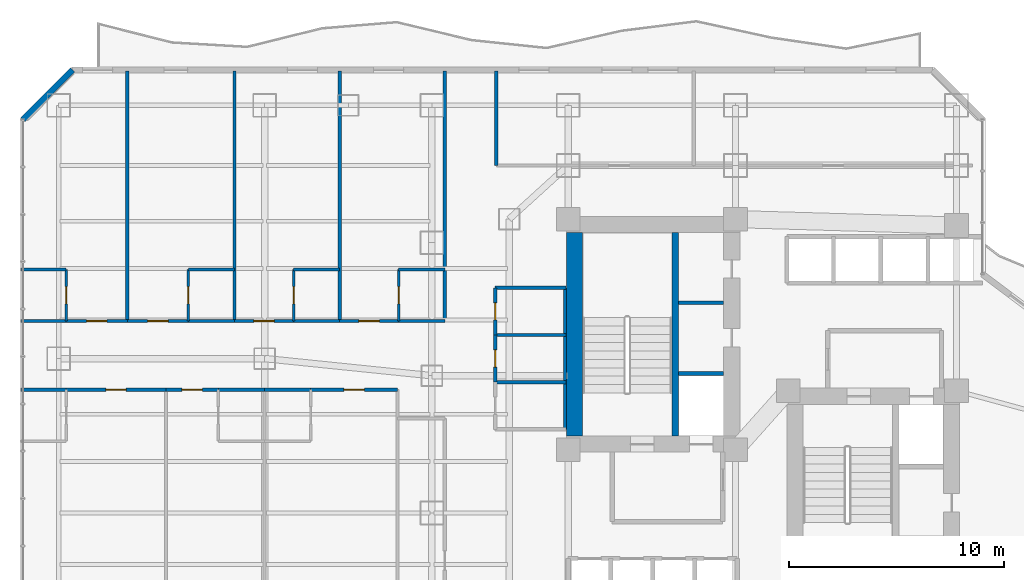
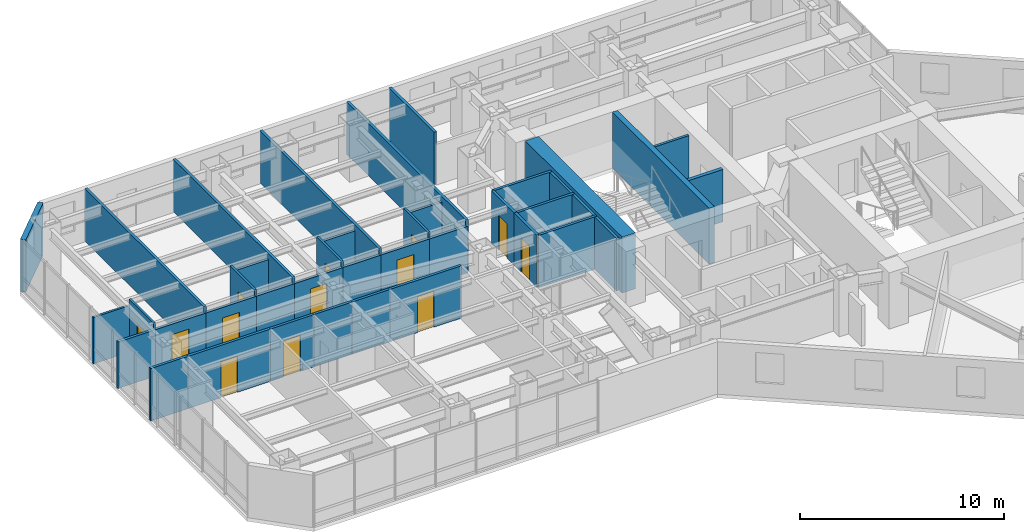
# One storey, part 25 of 32: 38 walls, 13 doors, 13 openings.
"""IFC4 building model written with IfcOpenShell, lengths in metres."""

from ifc_helpers import new_model, si_unit, direction, frame, frame_2d, origin, place, context, subcontext, project, spatial, rectangle, extrude, material, layer, layer_set, type_object, element, fill, save


model = new_model("IFC4")

# Units and contexts
model_context = context("Model", 3, precision=1e-05, world=origin(), true_north=direction((0.0, 1.0)))
body_context = subcontext(model_context, "Body", "Model", "MODEL_VIEW")
ifc_project = project(units=[si_unit("LENGTHUNIT", "METRE"), si_unit("AREAUNIT", "SQUARE_METRE"), si_unit("VOLUMEUNIT", "CUBIC_METRE"), si_unit("PLANEANGLEUNIT", "RADIAN"), si_unit("MASSUNIT", "GRAM", prefix="KILO")], contexts=[model_context])

# Site, building, storey
site_placement = place(None, origin())
site = spatial("IfcSite", under=ifc_project, at=site_placement, CompositionType="ELEMENT")
building_placement = place(site_placement, origin())
building = spatial("IfcBuilding", under=site, at=building_placement, Name="Hatsunagi Terrace Concourse", CompositionType="ELEMENT")
storey_placement = place(building_placement, frame((0.0, 0.0, 46.64990234375)))
storey = spatial("IfcBuildingStorey", under=building, at=storey_placement, Name="L11", CompositionType="ELEMENT", Elevation=46.64990234375)

# Walls
ifc_material_1 = material(Name="Concrete Fc60", Category="concrete")
ifc_layer_1 = layer(ifc_material_1, 0.75)
ifc_layer_set_1 = layer_set([ifc_layer_1], Name="CoreShearWall_Fc60_750")
wall_type_1 = type_object("IfcWallType", Name="CoreShearWall_Fc60_750", PredefinedType="SHEAR", material=ifc_layer_set_1)
wall_1_placement = place(storey_placement, frame((25.844970703125, 33.18994140625, 0.0), z_axis=(0.0, 0.0, 1.0), x_axis=(0.0, 1.0, 0.0)))
element("IfcWall", 1, at=wall_1_placement, inside=storey, type_object=wall_type_1, Name="Core A Shear Wall W L11", PredefinedType="SHEAR", context=body_context, shape_type="SweptSolid", body=[
    extrude(rectangle(XDim=9.47998046875, YDim=0.75, at=frame_2d((4.739990234375, 0.0))), origin(), (0.0, 0.0, 1.0), 3.35009765625),
])
ifc_material_2 = material(Name="Concrete Fc48", Category="concrete")
ifc_layer_2 = layer(ifc_material_2, 0.300048828125)
ifc_layer_set_2 = layer_set([ifc_layer_2], Name="CoreStairDivider_Fc48_300")
wall_type_2 = type_object("IfcWallType", Name="CoreStairDivider_Fc48_300", PredefinedType="SHEAR", material=ifc_layer_set_2)
wall_2_placement = place(storey_placement, frame((30.5400390625, 33.18994140625, 0.0), z_axis=(0.0, 0.0, 1.0), x_axis=(0.0, 1.0, 0.0)))
element("IfcWall", 2, at=wall_2_placement, inside=storey, type_object=wall_type_2, Name="Core A Shear Wall D L11", PredefinedType="SHEAR", context=body_context, shape_type="SweptSolid", body=[
    extrude(rectangle(XDim=9.47998046875, YDim=0.300048828125, at=frame_2d((4.739990234375, 0.0))), origin(), (0.0, 0.0, 1.0), 3.35009765625),
])

# Wall, opening, door
ifc_material_3 = material(Name="Acoustic mineral board", Category="gypsum")
ifc_layer_3 = layer(ifc_material_3, 0.1201171875)
ifc_layer_set_3 = layer_set([ifc_layer_3], Name="PartitionWall_EI30_120")
wall_type_3 = type_object("IfcWallType", Name="PartitionWall_EI30_120", PredefinedType="PARTITIONING", material=ifc_layer_set_3)
wall_3_placement = place(storey_placement, frame((2.14990234375, 38.550048828125, 0.0), z_axis=(0.0, 0.0, 1.0), x_axis=(0.0, 1.0, 0.0)))
wall_3 = element("IfcWall", 3, at=wall_3_placement, inside=storey, type_object=wall_type_3, Name="Interior Partition IW-L11-046", PredefinedType="PARTITIONING", context=body_context, shape_type="SweptSolid", body=[
    extrude(rectangle(XDim=2.39990234375, YDim=0.1201171875, at=frame_2d((1.199951171875, 0.0))), origin(), (0.0, 0.0, 1.0), 3.130126953125),
])
opening_1_placement = place(wall_3_placement, frame((0.800048828125, 0.0, 0.0)))
opening_1 = element("IfcOpeningElement", 4, at=opening_1_placement, cuts=wall_3, Name="Opening DR-080", PredefinedType="OPENING", context=body_context, shape_type="SweptSolid", body=[
    extrude(rectangle(XDim=0.800048828125, YDim=2.06005859375, at=frame_2d((0.39990234375, 1.030029296875))), frame((0.0, 0.070068359375, 0.0), z_axis=(0.0, -1.0, 0.0), x_axis=(1.0, 0.0, 0.0)), (0.0, 0.0, 1.0), 0.14013671875),
])
ifc_material_4 = material(Name="Hardwood timber", Category="wood")
door_type_1 = type_object("IfcDoorType", Name="BathroomDoor_800", OperationType="NOTDEFINED", PredefinedType="DOOR", material=ifc_material_4)
door_1_placement = place(opening_1_placement, origin())
door_1 = element("IfcDoor", 5, at=door_1_placement, inside=storey, type_object=door_type_1, Name="En-Suite Bathroom L11-N1 Door", OperationType="SINGLE_SWING_RIGHT", OverallHeight=2.06005859375, OverallWidth=0.800048828125, PredefinedType="DOOR", context=body_context, shape_type="SweptSolid", body=[
    extrude(rectangle(XDim=0.800048828125, YDim=2.06005859375, at=frame_2d((0.39990234375, 1.030029296875))), frame((0.0, 0.02490234375, 0.0), z_axis=(0.0, -1.0, 0.0), x_axis=(1.0, 0.0, 0.0)), (0.0, 0.0, 1.0), 0.050048828125),
])
fill(opening_1, door_1)

# Wall
wall_4_placement = place(storey_placement, frame((0.0400390625, 40.949951171875, 0.0), z_axis=(0.0, 0.0, 1.0), x_axis=(1.0, 0.0, 0.0)))
element("IfcWall", 6, at=wall_4_placement, inside=storey, type_object=wall_type_3, Name="Interior Partition IW-L11-047", PredefinedType="PARTITIONING", context=body_context, shape_type="SweptSolid", body=[
    extrude(rectangle(XDim=2.10986328125, YDim=0.1201171875, at=frame_2d((1.054931640625, 0.0))), origin(), (0.0, 0.0, 1.0), 2.775146484375),
])

# Wall, opening, door
wall_5_placement = place(storey_placement, frame((7.85009765625, 38.550048828125, 0.0), z_axis=(0.0, 0.0, 1.0), x_axis=(0.0, 1.0, 0.0)))
wall_5 = element("IfcWall", 7, at=wall_5_placement, inside=storey, type_object=wall_type_3, Name="Interior Partition IW-L11-051", PredefinedType="PARTITIONING", context=body_context, shape_type="SweptSolid", body=[
    extrude(rectangle(XDim=2.39990234375, YDim=0.1201171875, at=frame_2d((1.199951171875, 0.0))), origin(), (0.0, 0.0, 1.0), 3.130126953125),
])
opening_2_placement = place(wall_5_placement, frame((0.800048828125, 0.0, 0.0)))
opening_2 = element("IfcOpeningElement", 8, at=opening_2_placement, cuts=wall_5, Name="Opening DR-080", PredefinedType="OPENING", context=body_context, shape_type="SweptSolid", body=[
    extrude(rectangle(XDim=0.800048828125, YDim=2.06005859375, at=frame_2d((0.39990234375, 1.030029296875))), frame((0.0, 0.070068359375, 0.0), z_axis=(0.0, -1.0, 0.0), x_axis=(1.0, 0.0, 0.0)), (0.0, 0.0, 1.0), 0.14013671875),
])
door_2_placement = place(opening_2_placement, origin())
door_2 = element("IfcDoor", 9, at=door_2_placement, inside=storey, type_object=door_type_1, Name="En-Suite Bathroom L11-N2 Door", OperationType="SINGLE_SWING_LEFT", OverallHeight=2.06005859375, OverallWidth=0.800048828125, PredefinedType="DOOR", context=body_context, shape_type="SweptSolid", body=[
    extrude(rectangle(XDim=0.800048828125, YDim=2.06005859375, at=frame_2d((0.39990234375, 1.030029296875))), frame((0.0, 0.02490234375, 0.0), z_axis=(0.0, -1.0, 0.0), x_axis=(1.0, 0.0, 0.0)), (0.0, 0.0, 1.0), 0.050048828125),
])
fill(opening_2, door_2)

# Wall
wall_6_placement = place(storey_placement, frame((7.85009765625, 40.949951171875, 0.0), z_axis=(0.0, 0.0, 1.0), x_axis=(1.0, 0.0, 0.0)))
element("IfcWall", 10, at=wall_6_placement, inside=storey, type_object=wall_type_3, Name="Interior Partition IW-L11-052", PredefinedType="PARTITIONING", context=body_context, shape_type="SweptSolid", body=[
    extrude(rectangle(XDim=2.14990234375, YDim=0.1201171875, at=frame_2d((1.074951171875, 0.0))), origin(), (0.0, 0.0, 1.0), 2.775146484375),
])

# Wall, opening, door
wall_7_placement = place(storey_placement, frame((12.75, 38.550048828125, 0.0), z_axis=(0.0, 0.0, 1.0), x_axis=(0.0, 1.0, 0.0)))
wall_7 = element("IfcWall", 11, at=wall_7_placement, inside=storey, type_object=wall_type_3, Name="Interior Partition IW-L11-056", PredefinedType="PARTITIONING", context=body_context, shape_type="SweptSolid", body=[
    extrude(rectangle(XDim=2.39990234375, YDim=0.1201171875, at=frame_2d((1.199951171875, 0.0))), origin(), (0.0, 0.0, 1.0), 3.130126953125),
])
opening_3_placement = place(wall_7_placement, frame((0.800048828125, 0.0, 0.0)))
opening_3 = element("IfcOpeningElement", 12, at=opening_3_placement, cuts=wall_7, Name="Opening DR-080", PredefinedType="OPENING", context=body_context, shape_type="SweptSolid", body=[
    extrude(rectangle(XDim=0.800048828125, YDim=2.06005859375, at=frame_2d((0.39990234375, 1.030029296875))), frame((0.0, 0.070068359375, 0.0), z_axis=(0.0, -1.0, 0.0), x_axis=(1.0, 0.0, 0.0)), (0.0, 0.0, 1.0), 0.14013671875),
])
door_3_placement = place(opening_3_placement, origin())
door_3 = element("IfcDoor", 13, at=door_3_placement, inside=storey, type_object=door_type_1, Name="En-Suite Bathroom L11-N3 Door", OperationType="SINGLE_SWING_RIGHT", OverallHeight=2.06005859375, OverallWidth=0.800048828125, PredefinedType="DOOR", context=body_context, shape_type="SweptSolid", body=[
    extrude(rectangle(XDim=0.800048828125, YDim=2.06005859375, at=frame_2d((0.39990234375, 1.030029296875))), frame((0.0, 0.02490234375, 0.0), z_axis=(0.0, -1.0, 0.0), x_axis=(1.0, 0.0, 0.0)), (0.0, 0.0, 1.0), 0.050048828125),
])
fill(opening_3, door_3)

# Wall
wall_8_placement = place(storey_placement, frame((12.75, 40.949951171875, 0.0), z_axis=(0.0, 0.0, 1.0), x_axis=(1.0, 0.0, 0.0)))
element("IfcWall", 14, at=wall_8_placement, inside=storey, type_object=wall_type_3, Name="Interior Partition IW-L11-057", PredefinedType="PARTITIONING", context=body_context, shape_type="SweptSolid", body=[
    extrude(rectangle(XDim=2.14990234375, YDim=0.1201171875, at=frame_2d((1.074951171875, 0.0))), origin(), (0.0, 0.0, 1.0), 2.775146484375),
])

# Wall, opening, door
wall_9_placement = place(storey_placement, frame((17.64990234375, 38.550048828125, 0.0), z_axis=(0.0, 0.0, 1.0), x_axis=(0.0, 1.0, 0.0)))
wall_9 = element("IfcWall", 15, at=wall_9_placement, inside=storey, type_object=wall_type_3, Name="Interior Partition IW-L11-061", PredefinedType="PARTITIONING", context=body_context, shape_type="SweptSolid", body=[
    extrude(rectangle(XDim=2.39990234375, YDim=0.1201171875, at=frame_2d((1.199951171875, 0.0))), origin(), (0.0, 0.0, 1.0), 3.130126953125),
])
opening_4_placement = place(wall_9_placement, frame((0.800048828125, 0.0, 0.0)))
opening_4 = element("IfcOpeningElement", 16, at=opening_4_placement, cuts=wall_9, Name="Opening DR-080", PredefinedType="OPENING", context=body_context, shape_type="SweptSolid", body=[
    extrude(rectangle(XDim=0.800048828125, YDim=2.06005859375, at=frame_2d((0.39990234375, 1.030029296875))), frame((0.0, 0.070068359375, 0.0), z_axis=(0.0, -1.0, 0.0), x_axis=(1.0, 0.0, 0.0)), (0.0, 0.0, 1.0), 0.14013671875),
])
door_4_placement = place(opening_4_placement, origin())
door_4 = element("IfcDoor", 17, at=door_4_placement, inside=storey, type_object=door_type_1, Name="En-Suite Bathroom L11-N4 Door", OperationType="SINGLE_SWING_LEFT", OverallHeight=2.06005859375, OverallWidth=0.800048828125, PredefinedType="DOOR", context=body_context, shape_type="SweptSolid", body=[
    extrude(rectangle(XDim=0.800048828125, YDim=2.06005859375, at=frame_2d((0.39990234375, 1.030029296875))), frame((0.0, 0.02490234375, 0.0), z_axis=(0.0, -1.0, 0.0), x_axis=(1.0, 0.0, 0.0)), (0.0, 0.0, 1.0), 0.050048828125),
])
fill(opening_4, door_4)

# Walls
wall_10_placement = place(storey_placement, frame((17.64990234375, 40.949951171875, 0.0), z_axis=(0.0, 0.0, 1.0), x_axis=(1.0, 0.0, 0.0)))
element("IfcWall", 18, at=wall_10_placement, inside=storey, type_object=wall_type_3, Name="Interior Partition IW-L11-062", PredefinedType="PARTITIONING", context=body_context, shape_type="SweptSolid", body=[
    extrude(rectangle(XDim=2.150146484375, YDim=0.1201171875, at=frame_2d((1.0751953125, 0.0))), origin(), (0.0, 0.0, 1.0), 2.775146484375),
])
ifc_material_5 = material(Name="Acoustic mineral board", Category="gypsum")
ifc_layer_4 = layer(ifc_material_5, 0.14990234375)
ifc_layer_set_4 = layer_set([ifc_layer_4], Name="PartitionWall_EI60_150")
wall_type_4 = type_object("IfcWallType", Name="PartitionWall_EI60_150", PredefinedType="PARTITIONING", material=ifc_layer_set_4)
wall_11_placement = place(storey_placement, frame((30.699951171875, 39.39990234375, 0.0), z_axis=(0.0, 0.0, 1.0), x_axis=(1.0, 0.0, 0.0)))
element("IfcWall", 19, at=wall_11_placement, inside=storey, type_object=wall_type_4, Name="Interior Partition IW-L11-002", PredefinedType="PARTITIONING", context=body_context, shape_type="SweptSolid", body=[
    extrude(rectangle(XDim=2.10009765625, YDim=0.14990234375, at=frame_2d((1.050048828125, 0.0))), origin(), (0.0, 0.0, 1.0), 3.130126953125),
])
wall_12_placement = place(storey_placement, frame((22.14990234375, 40.10009765625, 0.0), z_axis=(0.0, 0.0, 1.0), x_axis=(1.0, 0.0, 0.0)))
element("IfcWall", 20, at=wall_12_placement, inside=storey, type_object=wall_type_4, Name="Interior Partition IW-L11-030", PredefinedType="PARTITIONING", context=body_context, shape_type="SweptSolid", body=[
    extrude(rectangle(XDim=3.300048828125, YDim=0.14990234375, at=frame_2d((1.64990234375, 0.0))), origin(), (0.0, 0.0, 1.0), 3.130126953125),
])
wall_13_placement = place(storey_placement, frame((25.39990234375, 33.5, 0.0), z_axis=(0.0, 0.0, 1.0), x_axis=(0.0, 1.0, 0.0)))
element("IfcWall", 21, at=wall_13_placement, inside=storey, type_object=wall_type_4, Name="Interior Partition IW-L11-031", PredefinedType="PARTITIONING", context=body_context, shape_type="SweptSolid", body=[
    extrude(rectangle(XDim=6.60009765625, YDim=0.14990234375, at=frame_2d((3.300048828125, 0.0))), origin(), (0.0, 0.0, 1.0), 3.130126953125),
])
for number, where, z_axis, x_axis, name in (
    (22, (22.14990234375, 35.699951171875, 0.0), (0.0, 0.0, 1.0), (1.0, 0.0, 0.0), "Interior Partition IW-L11-032"),
    (23, (22.14990234375, 37.89990234375, 0.0), (0.0, 0.0, 1.0), (1.0, 0.0, 0.0), "Interior Partition IW-L11-033"),
):
    element("IfcWall", number, at=place(storey_placement, frame(where, z_axis=z_axis, x_axis=x_axis)), inside=storey, type_object=wall_type_4, Name=name, PredefinedType="PARTITIONING", context=body_context, shape_type="SweptSolid", body=[
        extrude(rectangle(XDim=3.300048828125, YDim=0.14990234375, at=frame_2d((1.64990234375, 0.0))), origin(), (0.0, 0.0, 1.0), 3.130126953125),
    ])

# Wall, opening, door
wall_14_placement = place(storey_placement, frame((22.14990234375, 35.699951171875, 0.0), z_axis=(0.0, 0.0, 1.0), x_axis=(0.0, 1.0, 0.0)))
wall_14 = element("IfcWall", 24, at=wall_14_placement, inside=storey, type_object=wall_type_4, Name="Interior Partition IW-L11-035", PredefinedType="PARTITIONING", context=body_context, shape_type="SweptSolid", body=[
    extrude(rectangle(XDim=2.199951171875, YDim=0.14990234375, at=frame_2d((1.10009765625, 0.0))), origin(), (0.0, 0.0, 1.0), 3.130126953125),
])
opening_5_placement = place(wall_14_placement, frame((0.699951171875, 0.0, 0.0)))
opening_5 = element("IfcOpeningElement", 25, at=opening_5_placement, cuts=wall_14, Name="Opening DR-080", PredefinedType="OPENING", context=body_context, shape_type="SweptSolid", body=[
    extrude(rectangle(XDim=0.800048828125, YDim=2.06005859375, at=frame_2d((0.39990234375, 1.030029296875))), frame((0.0, 0.0849609375, 0.0), z_axis=(0.0, -1.0, 0.0), x_axis=(1.0, 0.0, 0.0)), (0.0, 0.0, 1.0), 0.169921875),
])
door_5_placement = place(opening_5_placement, origin())
door_5 = element("IfcDoor", 26, at=door_5_placement, inside=storey, type_object=door_type_1, Name="Female Restroom Door L11", OperationType="SINGLE_SWING_RIGHT", OverallHeight=2.06005859375, OverallWidth=0.800048828125, PredefinedType="DOOR", context=body_context, shape_type="SweptSolid", body=[
    extrude(rectangle(XDim=0.800048828125, YDim=2.06005859375, at=frame_2d((0.39990234375, 1.030029296875))), frame((0.0, 0.02490234375, 0.0), z_axis=(0.0, -1.0, 0.0), x_axis=(1.0, 0.0, 0.0)), (0.0, 0.0, 1.0), 0.050048828125),
])
fill(opening_5, door_5)

wall_15_placement = place(storey_placement, frame((22.14990234375, 37.89990234375, 0.0), z_axis=(0.0, 0.0, 1.0), x_axis=(0.0, 1.0, 0.0)))
wall_15 = element("IfcWall", 27, at=wall_15_placement, inside=storey, type_object=wall_type_4, Name="Interior Partition IW-L11-036", PredefinedType="PARTITIONING", context=body_context, shape_type="SweptSolid", body=[
    extrude(rectangle(XDim=2.2001953125, YDim=0.14990234375, at=frame_2d((1.10009765625, 0.0))), origin(), (0.0, 0.0, 1.0), 3.130126953125),
])
opening_6_placement = place(wall_15_placement, frame((0.699951171875, 0.0, 0.0)))
opening_6 = element("IfcOpeningElement", 28, at=opening_6_placement, cuts=wall_15, Name="Opening DR-080", PredefinedType="OPENING", context=body_context, shape_type="SweptSolid", body=[
    extrude(rectangle(XDim=0.800048828125, YDim=2.06005859375, at=frame_2d((0.39990234375, 1.030029296875))), frame((0.0, 0.0849609375, 0.0), z_axis=(0.0, -1.0, 0.0), x_axis=(1.0, 0.0, 0.0)), (0.0, 0.0, 1.0), 0.169921875),
])
door_6_placement = place(opening_6_placement, origin())
door_6 = element("IfcDoor", 29, at=door_6_placement, inside=storey, type_object=door_type_1, Name="Male Restroom Door L11", OperationType="SINGLE_SWING_RIGHT", OverallHeight=2.06005859375, OverallWidth=0.800048828125, PredefinedType="DOOR", context=body_context, shape_type="SweptSolid", body=[
    extrude(rectangle(XDim=0.800048828125, YDim=2.06005859375, at=frame_2d((0.39990234375, 1.030029296875))), frame((0.0, 0.02490234375, 0.0), z_axis=(0.0, -1.0, 0.0), x_axis=(1.0, 0.0, 0.0)), (0.0, 0.0, 1.0), 0.050048828125),
])
fill(opening_6, door_6)

# Walls
wall_16_placement = place(storey_placement, frame((22.199951171875, 45.800048828125, 0.0), z_axis=(0.0, 0.0, 1.0), x_axis=(0.0, 1.0, 0.0)))
element("IfcWall", 30, at=wall_16_placement, inside=storey, type_object=wall_type_4, Name="Interior Partition IW-L11-038", PredefinedType="PARTITIONING", context=body_context, shape_type="SweptSolid", body=[
    extrude(rectangle(XDim=4.39990234375, YDim=0.14990234375, at=frame_2d((2.199951171875, 0.0))), origin(), (0.0, 0.0, 1.0), 3.130126953125),
])
wall_17_placement = place(storey_placement, frame((0.0400390625, 38.550048828125, 0.0), z_axis=(0.0, 0.0, 1.0), x_axis=(1.0, 0.0, 0.0)))
element("IfcWall", 31, at=wall_17_placement, inside=storey, type_object=wall_type_4, Name="Interior Partition IW-L11-044", PredefinedType="PARTITIONING", context=body_context, shape_type="SweptSolid", body=[
    extrude(rectangle(XDim=2.10986328125, YDim=0.14990234375, at=frame_2d((1.054931640625, 0.0))), origin(), (0.0, 0.0, 1.0), 2.775146484375),
])

# Wall, opening, door
wall_18_placement = place(storey_placement, frame((2.14990234375, 38.550048828125, 0.0), z_axis=(0.0, 0.0, 1.0), x_axis=(1.0, 0.0, 0.0)))
wall_18 = element("IfcWall", 32, at=wall_18_placement, inside=storey, type_object=wall_type_4, Name="Interior Partition IW-L11-045", PredefinedType="PARTITIONING", context=body_context, shape_type="SweptSolid", body=[
    extrude(rectangle(XDim=2.85009765625, YDim=0.14990234375, at=frame_2d((1.425048828125, 0.0))), origin(), (0.0, 0.0, 1.0), 2.775146484375),
])
opening_7_placement = place(wall_18_placement, frame((0.949951171875, 0.0, 0.0)))
opening_7 = element("IfcOpeningElement", 33, at=opening_7_placement, cuts=wall_18, Name="Opening DR-095", PredefinedType="OPENING", context=body_context, shape_type="SweptSolid", body=[
    extrude(rectangle(XDim=0.949951171875, YDim=2.14990234375, at=frame_2d((0.47509765625, 1.074951171875))), frame((0.0, 0.0849609375, 0.0), z_axis=(0.0, -1.0, 0.0), x_axis=(1.0, 0.0, 0.0)), (0.0, 0.0, 1.0), 0.169921875),
])
ifc_material_6 = material(Name="Hardwood timber", Category="wood")
door_type_2 = type_object("IfcDoorType", Name="InteriorSuiteDoor_EI30_950", OperationType="NOTDEFINED", PredefinedType="DOOR", material=ifc_material_6)
door_7_placement = place(opening_7_placement, origin())
door_7 = element("IfcDoor", 34, at=door_7_placement, inside=storey, type_object=door_type_2, Name="Hotel Guest Room L11-N1 Door", OperationType="SINGLE_SWING_LEFT", OverallHeight=2.14990234375, OverallWidth=0.949951171875, PredefinedType="DOOR", context=body_context, shape_type="SweptSolid", body=[
    extrude(rectangle(XDim=0.949951171875, YDim=2.14990234375, at=frame_2d((0.47509765625, 1.074951171875))), frame((0.0, 0.02490234375, 0.0), z_axis=(0.0, -1.0, 0.0), x_axis=(1.0, 0.0, 0.0)), (0.0, 0.0, 1.0), 0.050048828125),
])
fill(opening_7, door_7)

# Wall
wall_19_placement = place(storey_placement, frame((5.0, 38.550048828125, 0.0), z_axis=(0.0, 0.0, 1.0), x_axis=(0.0, 1.0, 0.0)))
element("IfcWall", 35, at=wall_19_placement, inside=storey, type_object=wall_type_4, Name="Interior Partition IW-L11-048", PredefinedType="PARTITIONING", context=body_context, shape_type="SweptSolid", body=[
    extrude(rectangle(XDim=11.64990234375, YDim=0.14990234375, at=frame_2d((5.824951171875, 0.0))), origin(), (0.0, 0.0, 1.0), 3.130126953125),
])

# Wall, opening, door
wall_20_placement = place(storey_placement, frame((5.0, 38.550048828125, 0.0), z_axis=(0.0, 0.0, 1.0), x_axis=(1.0, 0.0, 0.0)))
wall_20 = element("IfcWall", 36, at=wall_20_placement, inside=storey, type_object=wall_type_4, Name="Interior Partition IW-L11-049", PredefinedType="PARTITIONING", context=body_context, shape_type="SweptSolid", body=[
    extrude(rectangle(XDim=2.85009765625, YDim=0.14990234375, at=frame_2d((1.425048828125, 0.0))), origin(), (0.0, 0.0, 1.0), 2.775146484375),
])
opening_8_placement = place(wall_20_placement, frame((0.949951171875, 0.0, 0.0)))
opening_8 = element("IfcOpeningElement", 37, at=opening_8_placement, cuts=wall_20, Name="Opening DR-095", PredefinedType="OPENING", context=body_context, shape_type="SweptSolid", body=[
    extrude(rectangle(XDim=0.949951171875, YDim=2.14990234375, at=frame_2d((0.47509765625, 1.074951171875))), frame((0.0, 0.0849609375, 0.0), z_axis=(0.0, -1.0, 0.0), x_axis=(1.0, 0.0, 0.0)), (0.0, 0.0, 1.0), 0.169921875),
])
door_8_placement = place(opening_8_placement, origin())
door_8 = element("IfcDoor", 38, at=door_8_placement, inside=storey, type_object=door_type_2, Name="Hotel Guest Room L11-N2 Door", OperationType="SINGLE_SWING_LEFT", OverallHeight=2.14990234375, OverallWidth=0.949951171875, PredefinedType="DOOR", context=body_context, shape_type="SweptSolid", body=[
    extrude(rectangle(XDim=0.949951171875, YDim=2.14990234375, at=frame_2d((0.47509765625, 1.074951171875))), frame((0.0, 0.02490234375, 0.0), z_axis=(0.0, -1.0, 0.0), x_axis=(1.0, 0.0, 0.0)), (0.0, 0.0, 1.0), 0.050048828125),
])
fill(opening_8, door_8)

# Walls
wall_21_placement = place(storey_placement, frame((7.85009765625, 38.550048828125, 0.0), z_axis=(0.0, 0.0, 1.0), x_axis=(1.0, 0.0, 0.0)))
element("IfcWall", 39, at=wall_21_placement, inside=storey, type_object=wall_type_4, Name="Interior Partition IW-L11-050", PredefinedType="PARTITIONING", context=body_context, shape_type="SweptSolid", body=[
    extrude(rectangle(XDim=2.14990234375, YDim=0.14990234375, at=frame_2d((1.074951171875, 0.0))), origin(), (0.0, 0.0, 1.0), 2.775146484375),
])
wall_22_placement = place(storey_placement, frame((10.0, 38.550048828125, 0.0), z_axis=(0.0, 0.0, 1.0), x_axis=(0.0, 1.0, 0.0)))
element("IfcWall", 40, at=wall_22_placement, inside=storey, type_object=wall_type_4, Name="Interior Partition IW-L11-053", PredefinedType="PARTITIONING", context=body_context, shape_type="SweptSolid", body=[
    extrude(rectangle(XDim=11.64990234375, YDim=0.14990234375, at=frame_2d((5.824951171875, 0.0))), origin(), (0.0, 0.0, 1.0), 3.130126953125),
])

# Wall, opening, door
wall_23_placement = place(storey_placement, frame((10.0, 38.550048828125, 0.0), z_axis=(0.0, 0.0, 1.0), x_axis=(1.0, 0.0, 0.0)))
wall_23 = element("IfcWall", 41, at=wall_23_placement, inside=storey, type_object=wall_type_4, Name="Interior Partition IW-L11-054", PredefinedType="PARTITIONING", context=body_context, shape_type="SweptSolid", body=[
    extrude(rectangle(XDim=2.75, YDim=0.14990234375, at=frame_2d((1.375, 0.0))), origin(), (0.0, 0.0, 1.0), 2.775146484375),
])
opening_9_placement = place(wall_23_placement, frame((0.89990234375, 0.0, 0.0)))
opening_9 = element("IfcOpeningElement", 42, at=opening_9_placement, cuts=wall_23, Name="Opening DR-095", PredefinedType="OPENING", context=body_context, shape_type="SweptSolid", body=[
    extrude(rectangle(XDim=0.949951171875, YDim=2.14990234375, at=frame_2d((0.47509765625, 1.074951171875))), frame((0.0, 0.0849609375, 0.0), z_axis=(0.0, -1.0, 0.0), x_axis=(1.0, 0.0, 0.0)), (0.0, 0.0, 1.0), 0.169921875),
])
door_9_placement = place(opening_9_placement, origin())
door_9 = element("IfcDoor", 43, at=door_9_placement, inside=storey, type_object=door_type_2, Name="Hotel Guest Room L11-N3 Door", OperationType="SINGLE_SWING_LEFT", OverallHeight=2.14990234375, OverallWidth=0.949951171875, PredefinedType="DOOR", context=body_context, shape_type="SweptSolid", body=[
    extrude(rectangle(XDim=0.949951171875, YDim=2.14990234375, at=frame_2d((0.47509765625, 1.074951171875))), frame((0.0, 0.02490234375, 0.0), z_axis=(0.0, -1.0, 0.0), x_axis=(1.0, 0.0, 0.0)), (0.0, 0.0, 1.0), 0.050048828125),
])
fill(opening_9, door_9)

# Walls
wall_24_placement = place(storey_placement, frame((12.75, 38.550048828125, 0.0), z_axis=(0.0, 0.0, 1.0), x_axis=(1.0, 0.0, 0.0)))
element("IfcWall", 44, at=wall_24_placement, inside=storey, type_object=wall_type_4, Name="Interior Partition IW-L11-055", PredefinedType="PARTITIONING", context=body_context, shape_type="SweptSolid", body=[
    extrude(rectangle(XDim=2.14990234375, YDim=0.14990234375, at=frame_2d((1.074951171875, 0.0))), origin(), (0.0, 0.0, 1.0), 2.775146484375),
])
wall_25_placement = place(storey_placement, frame((14.89990234375, 38.550048828125, 0.0), z_axis=(0.0, 0.0, 1.0), x_axis=(0.0, 1.0, 0.0)))
element("IfcWall", 45, at=wall_25_placement, inside=storey, type_object=wall_type_4, Name="Interior Partition IW-L11-058", PredefinedType="PARTITIONING", context=body_context, shape_type="SweptSolid", body=[
    extrude(rectangle(XDim=11.64990234375, YDim=0.14990234375, at=frame_2d((5.824951171875, 0.0))), origin(), (0.0, 0.0, 1.0), 3.130126953125),
])

# Wall, opening, door
wall_26_placement = place(storey_placement, frame((14.89990234375, 38.550048828125, 0.0), z_axis=(0.0, 0.0, 1.0), x_axis=(1.0, 0.0, 0.0)))
wall_26 = element("IfcWall", 46, at=wall_26_placement, inside=storey, type_object=wall_type_4, Name="Interior Partition IW-L11-059", PredefinedType="PARTITIONING", context=body_context, shape_type="SweptSolid", body=[
    extrude(rectangle(XDim=2.75, YDim=0.14990234375, at=frame_2d((1.375, 0.0))), origin(), (0.0, 0.0, 1.0), 2.775146484375),
])
opening_10_placement = place(wall_26_placement, frame((0.89990234375, 0.0, 0.0)))
opening_10 = element("IfcOpeningElement", 47, at=opening_10_placement, cuts=wall_26, Name="Opening DR-095", PredefinedType="OPENING", context=body_context, shape_type="SweptSolid", body=[
    extrude(rectangle(XDim=0.949951171875, YDim=2.14990234375, at=frame_2d((0.47509765625, 1.074951171875))), frame((0.0, 0.0849609375, 0.0), z_axis=(0.0, -1.0, 0.0), x_axis=(1.0, 0.0, 0.0)), (0.0, 0.0, 1.0), 0.169921875),
])
door_10_placement = place(opening_10_placement, origin())
door_10 = element("IfcDoor", 48, at=door_10_placement, inside=storey, type_object=door_type_2, Name="Hotel Guest Room L11-N4 Door", OperationType="SINGLE_SWING_LEFT", OverallHeight=2.14990234375, OverallWidth=0.949951171875, PredefinedType="DOOR", context=body_context, shape_type="SweptSolid", body=[
    extrude(rectangle(XDim=0.949951171875, YDim=2.14990234375, at=frame_2d((0.47509765625, 1.074951171875))), frame((0.0, 0.02490234375, 0.0), z_axis=(0.0, -1.0, 0.0), x_axis=(1.0, 0.0, 0.0)), (0.0, 0.0, 1.0), 0.050048828125),
])
fill(opening_10, door_10)

# Walls
wall_27_placement = place(storey_placement, frame((17.64990234375, 38.550048828125, 0.0), z_axis=(0.0, 0.0, 1.0), x_axis=(1.0, 0.0, 0.0)))
element("IfcWall", 49, at=wall_27_placement, inside=storey, type_object=wall_type_4, Name="Interior Partition IW-L11-060", PredefinedType="PARTITIONING", context=body_context, shape_type="SweptSolid", body=[
    extrude(rectangle(XDim=2.150146484375, YDim=0.14990234375, at=frame_2d((1.0751953125, 0.0))), origin(), (0.0, 0.0, 1.0), 2.775146484375),
])
wall_28_placement = place(storey_placement, frame((19.800048828125, 38.550048828125, 0.0), z_axis=(0.0, 0.0, 1.0), x_axis=(0.0, 1.0, 0.0)))
element("IfcWall", 50, at=wall_28_placement, inside=storey, type_object=wall_type_4, Name="Interior Partition IW-L11-063", PredefinedType="PARTITIONING", context=body_context, shape_type="SweptSolid", body=[
    extrude(rectangle(XDim=11.64990234375, YDim=0.14990234375, at=frame_2d((5.824951171875, 0.0))), origin(), (0.0, 0.0, 1.0), 3.130126953125),
])
wall_29_placement = place(storey_placement, frame((0.0400390625, 35.35009765625, 0.0), z_axis=(0.0, 0.0, 1.0), x_axis=(1.0, 0.0, 0.0)))
element("IfcWall", 51, at=wall_29_placement, inside=storey, type_object=wall_type_4, Name="Interior Partition IW-L11-064", PredefinedType="PARTITIONING", context=body_context, shape_type="SweptSolid", body=[
    extrude(rectangle(XDim=2.10986328125, YDim=0.14990234375, at=frame_2d((1.054931640625, 0.0))), origin(), (0.0, 0.0, 1.0), 3.130126953125),
])

# Wall, opening, door
wall_30_placement = place(storey_placement, frame((2.14990234375, 35.35009765625, 0.0), z_axis=(0.0, 0.0, 1.0), x_axis=(1.0, 0.0, 0.0)))
wall_30 = element("IfcWall", 52, at=wall_30_placement, inside=storey, type_object=wall_type_4, Name="Interior Partition IW-L11-065", PredefinedType="PARTITIONING", context=body_context, shape_type="SweptSolid", body=[
    extrude(rectangle(XDim=4.650146484375, YDim=0.14990234375, at=frame_2d((2.3251953125, 0.0))), origin(), (0.0, 0.0, 1.0), 3.130126953125),
])
opening_11_placement = place(wall_30_placement, frame((1.85009765625, 0.0, 0.0)))
opening_11 = element("IfcOpeningElement", 53, at=opening_11_placement, cuts=wall_30, Name="Opening DR-095", PredefinedType="OPENING", context=body_context, shape_type="SweptSolid", body=[
    extrude(rectangle(XDim=0.949951171875, YDim=2.14990234375, at=frame_2d((0.47509765625, 1.074951171875))), frame((0.0, 0.0849609375, 0.0), z_axis=(0.0, -1.0, 0.0), x_axis=(1.0, 0.0, 0.0)), (0.0, 0.0, 1.0), 0.169921875),
])
door_11_placement = place(opening_11_placement, origin())
door_11 = element("IfcDoor", 54, at=door_11_placement, inside=storey, type_object=door_type_2, Name="Corner Hotel Suite L11-S1 Door", OperationType="SINGLE_SWING_RIGHT", OverallHeight=2.14990234375, OverallWidth=0.949951171875, PredefinedType="DOOR", context=body_context, shape_type="SweptSolid", body=[
    extrude(rectangle(XDim=0.949951171875, YDim=2.14990234375, at=frame_2d((0.47509765625, 1.074951171875))), frame((0.0, 0.02490234375, 0.0), z_axis=(0.0, -1.0, 0.0), x_axis=(1.0, 0.0, 0.0)), (0.0, 0.0, 1.0), 0.050048828125),
])
fill(opening_11, door_11)

wall_31_placement = place(storey_placement, frame((6.800048828125, 35.35009765625, 0.0), z_axis=(0.0, 0.0, 1.0), x_axis=(1.0, 0.0, 0.0)))
wall_31 = element("IfcWall", 55, at=wall_31_placement, inside=storey, type_object=wall_type_4, Name="Interior Partition IW-L11-069", PredefinedType="PARTITIONING", context=body_context, shape_type="SweptSolid", body=[
    extrude(rectangle(XDim=2.449951171875, YDim=0.14990234375, at=frame_2d((1.22509765625, 0.0))), origin(), (0.0, 0.0, 1.0), 3.130126953125),
])
opening_12_placement = place(wall_31_placement, frame((0.75, 0.0, 0.0)))
opening_12 = element("IfcOpeningElement", 56, at=opening_12_placement, cuts=wall_31, Name="Opening DR-095", PredefinedType="OPENING", context=body_context, shape_type="SweptSolid", body=[
    extrude(rectangle(XDim=0.949951171875, YDim=2.14990234375, at=frame_2d((0.47509765625, 1.074951171875))), frame((0.0, 0.0849609375, 0.0), z_axis=(0.0, -1.0, 0.0), x_axis=(1.0, 0.0, 0.0)), (0.0, 0.0, 1.0), 0.169921875),
])
door_12_placement = place(opening_12_placement, origin())
door_12 = element("IfcDoor", 57, at=door_12_placement, inside=storey, type_object=door_type_2, Name="Hotel Guest Room L11-S2 Door", OperationType="SINGLE_SWING_RIGHT", OverallHeight=2.14990234375, OverallWidth=0.949951171875, PredefinedType="DOOR", context=body_context, shape_type="SweptSolid", body=[
    extrude(rectangle(XDim=0.949951171875, YDim=2.14990234375, at=frame_2d((0.47509765625, 1.074951171875))), frame((0.0, 0.02490234375, 0.0), z_axis=(0.0, -1.0, 0.0), x_axis=(1.0, 0.0, 0.0)), (0.0, 0.0, 1.0), 0.050048828125),
])
fill(opening_12, door_12)

# Walls
wall_32_placement = place(storey_placement, frame((9.25, 35.35009765625, 0.0), z_axis=(0.0, 0.0, 1.0), x_axis=(1.0, 0.0, 0.0)))
element("IfcWall", 58, at=wall_32_placement, inside=storey, type_object=wall_type_4, Name="Interior Partition IW-L11-070", PredefinedType="PARTITIONING", context=body_context, shape_type="SweptSolid", body=[
    extrude(rectangle(XDim=2.14990234375, YDim=0.14990234375, at=frame_2d((1.074951171875, 0.0))), origin(), (0.0, 0.0, 1.0), 3.130126953125),
])
wall_33_placement = place(storey_placement, frame((11.39990234375, 35.35009765625, 0.0), z_axis=(0.0, 0.0, 1.0), x_axis=(1.0, 0.0, 0.0)))
element("IfcWall", 59, at=wall_33_placement, inside=storey, type_object=wall_type_4, Name="Interior Partition IW-L11-074", PredefinedType="PARTITIONING", context=body_context, shape_type="SweptSolid", body=[
    extrude(rectangle(XDim=2.150146484375, YDim=0.14990234375, at=frame_2d((1.0751953125, 0.0))), origin(), (0.0, 0.0, 1.0), 3.130126953125),
])

# Wall, opening, door
wall_34_placement = place(storey_placement, frame((13.550048828125, 35.35009765625, 0.0), z_axis=(0.0, 0.0, 1.0), x_axis=(1.0, 0.0, 0.0)))
wall_34 = element("IfcWall", 60, at=wall_34_placement, inside=storey, type_object=wall_type_4, Name="Interior Partition IW-L11-075", PredefinedType="PARTITIONING", context=body_context, shape_type="SweptSolid", body=[
    extrude(rectangle(XDim=4.050048828125, YDim=0.14990234375, at=frame_2d((2.02490234375, 0.0))), origin(), (0.0, 0.0, 1.0), 3.130126953125),
])
opening_13_placement = place(wall_34_placement, frame((1.550048828125, 0.0, 0.0)))
opening_13 = element("IfcOpeningElement", 61, at=opening_13_placement, cuts=wall_34, Name="Opening DR-095", PredefinedType="OPENING", context=body_context, shape_type="SweptSolid", body=[
    extrude(rectangle(XDim=0.949951171875, YDim=2.14990234375, at=frame_2d((0.47509765625, 1.074951171875))), frame((0.0, 0.0849609375, 0.0), z_axis=(0.0, -1.0, 0.0), x_axis=(1.0, 0.0, 0.0)), (0.0, 0.0, 1.0), 0.169921875),
])
door_13_placement = place(opening_13_placement, origin())
door_13 = element("IfcDoor", 62, at=door_13_placement, inside=storey, type_object=door_type_2, Name="Hotel Guest Room L11-S3 Door", OperationType="SINGLE_SWING_RIGHT", OverallHeight=2.14990234375, OverallWidth=0.949951171875, PredefinedType="DOOR", context=body_context, shape_type="SweptSolid", body=[
    extrude(rectangle(XDim=0.949951171875, YDim=2.14990234375, at=frame_2d((0.47509765625, 1.074951171875))), frame((0.0, 0.02490234375, 0.0), z_axis=(0.0, -1.0, 0.0), x_axis=(1.0, 0.0, 0.0)), (0.0, 0.0, 1.0), 0.050048828125),
])
fill(opening_13, door_13)

# Walls
ifc_material_7 = material(Name="Acoustic mineral board", Category="gypsum")
ifc_layer_5 = layer(ifc_material_7, 0.199951171875)
ifc_layer_set_5 = layer_set([ifc_layer_5], Name="ShaftWall_EI120_200")
wall_type_5 = type_object("IfcWallType", Name="ShaftWall_EI120_200", PredefinedType="STANDARD", material=ifc_layer_set_5)
wall_35_placement = place(storey_placement, frame((30.699951171875, 36.10009765625, 0.0), z_axis=(0.0, 0.0, 1.0), x_axis=(1.0, 0.0, 0.0)))
element("IfcWall", 63, at=wall_35_placement, inside=storey, type_object=wall_type_5, Name="Interior Partition IW-L11-001", PredefinedType="STANDARD", context=body_context, shape_type="SweptSolid", body=[
    extrude(rectangle(XDim=2.10009765625, YDim=0.199951171875, at=frame_2d((1.050048828125, 0.0))), origin(), (0.0, 0.0, 1.0), 3.130126953125),
])
ifc_material_8 = material(Name="Autoclaved Lightweight Concrete and Terracotta Cladding", Category="masonry")
ifc_layer_6 = layer(ifc_material_8, 0.280029296875)
ifc_layer_set_6 = layer_set([ifc_layer_6], Name="TerracottaSpandrelWall_280")
wall_type_6 = type_object("IfcWallType", Name="TerracottaSpandrelWall_280", PredefinedType="STANDARD", material=ifc_layer_set_6)
wall_36_placement = place(storey_placement, frame((0.139892578125, 47.94189453125, 0.0), z_axis=(0.0, 0.0, 1.0), x_axis=(0.707106781187, 0.707106781187, 0.0)))
element("IfcWall", 64, at=wall_36_placement, inside=storey, type_object=wall_type_6, Name="Exterior Spandrel Wall EW-L11-10", PredefinedType="STANDARD", context=body_context, shape_type="SweptSolid", body=[
    extrude(rectangle(XDim=3.2783203125, YDim=0.280029296875, at=frame_2d((1.63916015625, 0.0))), origin(), (0.0, 0.0, 1.0), 3.130126953125),
])

save(model, "model.ifc")
